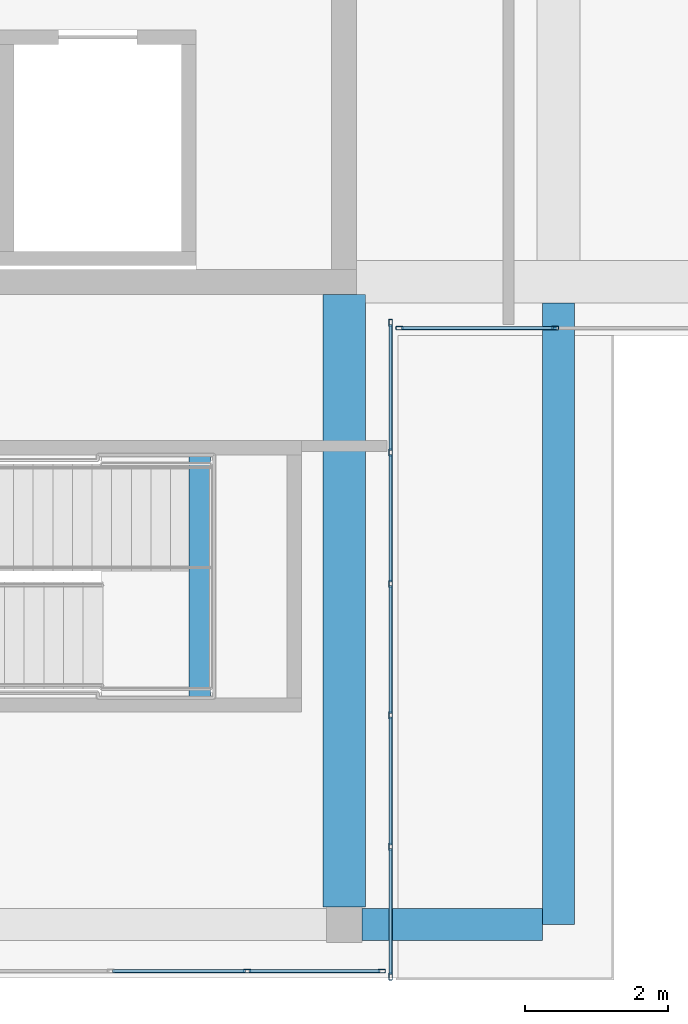
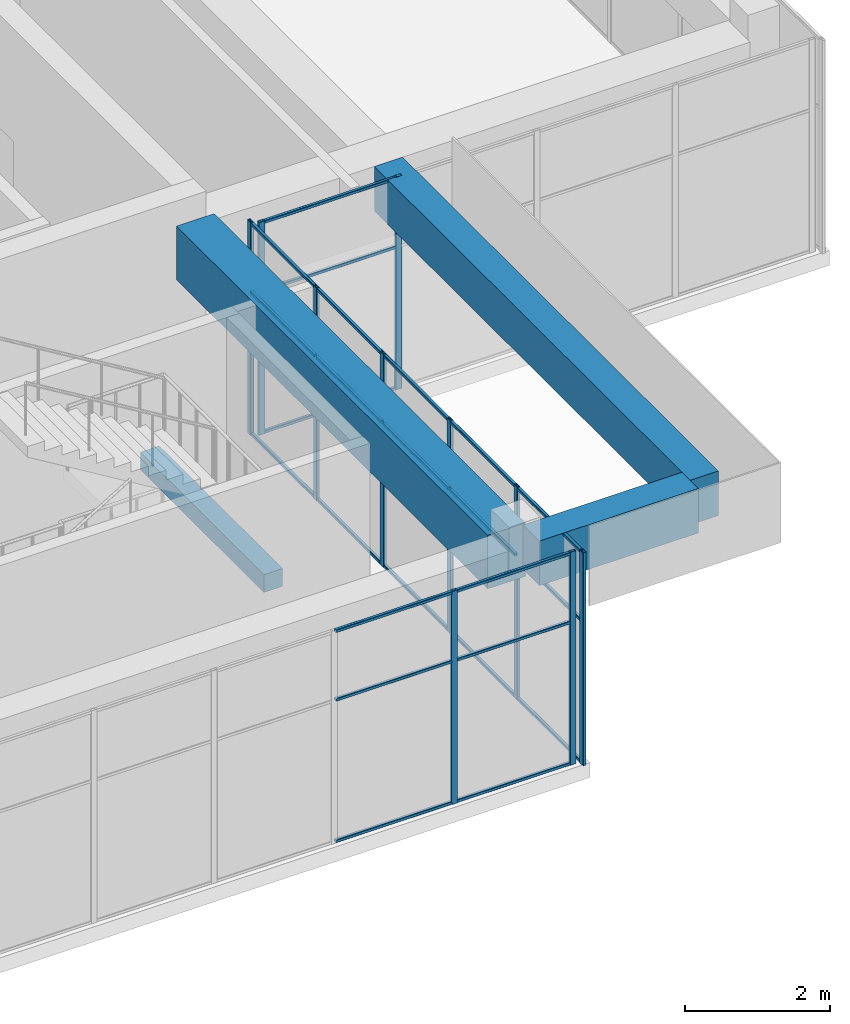
# One storey, part 9 of 36: 34 members, 4 beams, 3 elements without a shape of their own.
"""IFC4 building model written with IfcOpenShell, lengths in metres."""

import ifcopenshell
import ifcopenshell.guid

model = None  # the IFC model being written
_history = None  # IfcOwnerHistory: only IFC2X3 demands one
_inside = {}  # id of a spatial element -> (the spatial element, [elements in it])
_under = {}  # id of a project, library or spatial element -> (it, [spatial elements below it])
_declared = {}  # id of a project -> (the project, [libraries it declares])
_typed = {}  # id of a type object -> (the type object, [elements of that type])
_made_of = {}  # id of a material, layer set ... -> (it, [elements and type objects made of it])


def new_model(schema):
    """Start an empty IFC model of exactly this schema.

    Asked for "IFC4X3", IfcOpenShell would pick the latest addendum, in which some entities
    have other attributes; the version numbers below select the first issue.
    IFC2X3 requires an IfcOwnerHistory on every rooted entity: one is made here for all.
    """
    global model, _history
    if schema == "IFC4X3":
        model = ifcopenshell.file(schema_version=(4, 3, 0, 0))
    else:
        model = ifcopenshell.file(schema=schema)
    _inside.clear()
    _under.clear()
    _declared.clear()
    _typed.clear()
    _made_of.clear()
    _history = None
    if model.schema == "IFC2X3":
        org = make("IfcOrganization", Name="unknown")
        user = make(
            "IfcPersonAndOrganization",
            ThePerson=make("IfcPerson", FamilyName="unknown"),
            TheOrganization=org,
        )
        app = make(
            "IfcApplication",
            ApplicationDeveloper=org,
            Version="unknown",
            ApplicationFullName="unknown",
            ApplicationIdentifier="unknown",
        )
        _history = make(
            "IfcOwnerHistory",
            OwningUser=user,
            OwningApplication=app,
            ChangeAction="ADDED",
            CreationDate=0,
        )
    return model


def make(cls, **values):
    """One entity of the class cls with the attributes given. An attribute that is None is left unset."""
    return model.create_entity(
        cls, **{name: value for name, value in values.items() if value is not None}
    )


def rooted(cls, **values):
    """An entity with a GlobalId (a new one), such as an element, a storey or a relation."""
    return make(cls, GlobalId=ifcopenshell.guid.new(), OwnerHistory=_history, **values)


def si_unit(unit_type, name, prefix=None):
    """IfcSIUnit, for example si_unit("LENGTHUNIT", "METRE", prefix="MILLI")."""
    return make("IfcSIUnit", UnitType=unit_type, Prefix=prefix, Name=name)


def assignment(units):
    """IfcUnitAssignment: the units of a project."""
    return None if units is None else make("IfcUnitAssignment", Units=units)


def point(xyz):
    """IfcCartesianPoint."""
    return None if xyz is None else make("IfcCartesianPoint", Coordinates=xyz)


def direction(xyz):
    """IfcDirection."""
    return None if xyz is None else make("IfcDirection", DirectionRatios=xyz)


def frame(location, z_axis=None, x_axis=None):
    """IfcAxis2Placement3D, a coordinate frame: its origin and axes. An axis left out is left unset."""
    return make(
        "IfcAxis2Placement3D",
        Location=point(location),
        Axis=direction(z_axis),
        RefDirection=direction(x_axis),
    )


def frame_2d(location, x_axis=None):
    """IfcAxis2Placement2D, a coordinate frame in the plane: its origin and x axis."""
    return make(
        "IfcAxis2Placement2D", Location=point(location), RefDirection=direction(x_axis)
    )


def origin():
    """The frame at (0, 0, 0) with its axes left unset."""
    return frame((0.0, 0.0, 0.0))


def origin_2d():
    """The frame at (0, 0) in the plane with its x axis left unset."""
    return frame_2d((0.0, 0.0))


def place(relative_to, where):
    """IfcLocalPlacement: puts the frame where relative to a parent placement (None: the world)."""
    return make(
        "IfcLocalPlacement", PlacementRelTo=relative_to, RelativePlacement=where
    )


def context(
    kind, dimensions, precision=None, world=None, true_north=None, identifier=None
):
    """IfcGeometricRepresentationContext, for example the 3D "Model" context."""
    return make(
        "IfcGeometricRepresentationContext",
        ContextIdentifier=identifier,
        ContextType=kind,
        CoordinateSpaceDimension=dimensions,
        Precision=precision,
        WorldCoordinateSystem=world,
        TrueNorth=true_north,
    )


def subcontext(parent, identifier, kind, view, scale=None):
    """IfcGeometricRepresentationSubContext, for example "Body" below "Model"."""
    return make(
        "IfcGeometricRepresentationSubContext",
        ContextIdentifier=identifier,
        ContextType=kind,
        ParentContext=parent,
        TargetScale=scale,
        TargetView=view,
    )


def project(units=None, contexts=None):
    """IfcProject with its units and contexts."""
    return rooted(
        "IfcProject",
        Name="project",
        RepresentationContexts=contexts,
        UnitsInContext=assignment(units),
    )


def spatial(cls, under=None, at=None, **own):
    """A site, building, storey or space (cls), placed at a placement, below another one or the project."""
    s = rooted(cls, ObjectPlacement=at, **own)
    if under is not None:
        _under.setdefault(under.id(), (under, []))[1].append(s)
    return s


def profile(cls, at=None, kind="AREA", **sizes):
    """A parametric profile (cls). Its sizes go by their IFC names, for example OverallWidth=200.0."""
    return make(cls, ProfileType=kind, Position=at, **sizes)


def rectangle(**sizes):
    """IfcRectangleProfileDef."""
    return profile("IfcRectangleProfileDef", **sizes)


def hollow_rectangle(**sizes):
    """IfcRectangleHollowProfileDef."""
    return profile("IfcRectangleHollowProfileDef", **sizes)


def extrude(swept, where, along, depth):
    """IfcExtrudedAreaSolid: the profile swept, set in the frame where, extruded along a direction by depth."""
    return make(
        "IfcExtrudedAreaSolid",
        SweptArea=swept,
        Position=where,
        ExtrudedDirection=direction(along),
        Depth=depth,
    )


def shape(context_of_items, identifier, shape_type, items):
    """IfcShapeRepresentation: the items that make up one representation, for example the "Body"."""
    return make(
        "IfcShapeRepresentation",
        ContextOfItems=context_of_items,
        RepresentationIdentifier=identifier,
        RepresentationType=shape_type,
        Items=items,
    )


def material(Name=None, Category=None):
    """IfcMaterial."""
    return make("IfcMaterial", Name=Name, Category=Category)


def layer(
    of_material, thickness, ventilated=None, Name=None, Category=None, Priority=None
):
    """IfcMaterialLayer: one layer of a wall or slab, of a material (None: an air gap)."""
    return make(
        "IfcMaterialLayer",
        Material=of_material,
        LayerThickness=thickness,
        IsVentilated=ventilated,
        Name=Name,
        Category=Category,
        Priority=Priority,
    )


def layer_set(layers, Name=None):
    """IfcMaterialLayerSet."""
    return make("IfcMaterialLayerSet", MaterialLayers=layers, LayerSetName=Name)


def material_profile(
    of_material, cross_section, Name=None, Category=None, Priority=None
):
    """IfcMaterialProfile: a cross section and its material."""
    return make(
        "IfcMaterialProfile",
        Name=Name,
        Material=of_material,
        Profile=cross_section,
        Priority=Priority,
        Category=Category,
    )


def profile_set(profiles, Name=None, composite=None):
    """IfcMaterialProfileSet."""
    return make(
        "IfcMaterialProfileSet",
        Name=Name,
        MaterialProfiles=profiles,
        CompositeProfile=composite,
    )


def made_of(thing, what):
    """Note that an element or type object is made of a material, layer set ...; save() writes the relation."""
    if what is not None:
        _made_of.setdefault(what.id(), (what, []))[1].append(thing)
    return thing


def type_object(cls, material=None, **own):
    """A type object (cls), such as IfcWallType, which elements share."""
    return made_of(rooted(cls, **own), material)


def element(
    cls,
    number,
    at=None,
    inside=None,
    cuts=None,
    type_object=None,
    material=None,
    context=None,
    identifier="Body",
    shape_type=None,
    held_by="IfcProductDefinitionShape",
    body=None,
    shapes=None,
    **own,
):
    """One element of the class cls, such as IfcWall. Its Tag is "e" and its number.

    at: its placement. inside: the storey or other place that contains it. cuts: it is an
    opening in that element (IfcRelVoidsElement). A single representation is given by context,
    identifier, shape_type and body (its items); several are given by shapes. held_by: the class
    of the entity that holds the representations. save() writes the other relations.
    """
    e = rooted(cls, Tag="e%d" % number, ObjectPlacement=at, **own)
    if body is not None:
        shapes = [shape(context, identifier, shape_type, body)]
    if shapes is not None:
        e.Representation = make(held_by, Representations=shapes)
    if inside is not None:
        _inside.setdefault(inside.id(), (inside, []))[1].append(e)
    if cuts is not None:
        rooted(
            "IfcRelVoidsElement", RelatingBuildingElement=cuts, RelatedOpeningElement=e
        )
    if type_object is not None:
        _typed.setdefault(type_object.id(), (type_object, []))[1].append(e)
    return made_of(e, material)


def aggregate(whole, parts):
    """IfcRelAggregates: a whole, such as a stair, and the parts it consists of."""
    return rooted("IfcRelAggregates", RelatingObject=whole, RelatedObjects=parts)


def save(model, path):
    """Write the relations noted so far, then the file.

    IfcRelAggregates (storeys below a building ...), IfcRelContainedInSpatialStructure (elements
    in a storey), IfcRelDefinesByType, IfcRelAssociatesMaterial and IfcRelDeclares: one each for
    every whole, place, type object, material and project.
    """
    for whole, parts in _under.values():
        aggregate(whole, parts)
    for where, things in _inside.values():
        rooted(
            "IfcRelContainedInSpatialStructure",
            RelatedElements=things,
            RelatingStructure=where,
        )
    for kind, things in _typed.values():
        rooted("IfcRelDefinesByType", RelatedObjects=things, RelatingType=kind)
    for what, things in _made_of.values():
        rooted("IfcRelAssociatesMaterial", RelatedObjects=things, RelatingMaterial=what)
    for by, libraries in _declared.values():
        rooted("IfcRelDeclares", RelatingContext=by, RelatedDefinitions=libraries)
    model.write(path)


model = new_model("IFC4")

# Units and contexts
model_context = context("Model", 3, precision=1e-05, world=origin(), true_north=direction((0.0, 1.0)))
body_context = subcontext(model_context, "Body", "Model", "MODEL_VIEW")
ifc_project = project(units=[si_unit("LENGTHUNIT", "METRE"), si_unit("AREAUNIT", "SQUARE_METRE"), si_unit("VOLUMEUNIT", "CUBIC_METRE"), si_unit("PLANEANGLEUNIT", "RADIAN"), si_unit("MASSUNIT", "GRAM", prefix="KILO")], contexts=[model_context])

# Site, building, storey
site_placement = place(None, origin())
site = spatial("IfcSite", under=ifc_project, at=site_placement, CompositionType="ELEMENT")
building_placement = place(site_placement, origin())
building = spatial("IfcBuilding", under=site, at=building_placement, Name="Tuart Plaza Theatre", CompositionType="ELEMENT")
storey_placement = place(building_placement, frame((0.0, 0.0, 61.5)))
storey = spatial("IfcBuildingStorey", under=building, at=storey_placement, Name="L15", CompositionType="ELEMENT", Elevation=61.5)

# Beams
ifc_material_1 = material(Name="Concrete N40 (40 MPa)", Category="concrete")
ifc_material_profile_1 = material_profile(ifc_material_1, rectangle(XDim=0.300048828125, YDim=0.300048828125, at=origin_2d()), Name="BEAM 300x300 Concrete N40 (40 MPa)")
ifc_profile_set_1 = profile_set([ifc_material_profile_1], Name="Concrete N40 (40 MPa)")
beam_type_1 = type_object("IfcBeamType", Name="BEAM 300x300 Concrete N40 (40 MPa)", PredefinedType="BEAM", material=ifc_profile_set_1)
beam_1_placement = place(storey_placement, frame((138.97998046875, 59.175048828125, 1.64990234375), z_axis=(0.0, 1.0, 0.0), x_axis=(-1.0, 0.0, 0.0)))
element("IfcBeam", 1, at=beam_1_placement, inside=storey, type_object=beam_type_1, Name="RB511", PredefinedType="BEAM", context=body_context, shape_type="SweptSolid", body=[
    extrude(rectangle(XDim=0.300048828125, YDim=0.300048828125, at=origin_2d()), origin(), (0.0, 0.0, 1.0), 3.39990234375),
])
ifc_material_2 = material(Name="Concrete N40 (40 MPa)", Category="concrete")
ifc_material_profile_2 = material_profile(ifc_material_2, rectangle(XDim=0.449951171875, YDim=0.75, at=origin_2d()), Name="BEAM 450x750 Concrete N40 (40 MPa)")
ifc_profile_set_2 = profile_set([ifc_material_profile_2], Name="Concrete N40 (40 MPa)")
beam_type_2 = type_object("IfcBeamType", Name="BEAM 450x750 Concrete N40 (40 MPa)", PredefinedType="BEAM", material=ifc_profile_set_2)
beam_2_placement = place(storey_placement, frame((141.25, 56.0, 3.205078125), z_axis=(1.0, 0.0, 0.0), x_axis=(0.0, 1.0, 0.0)))
element("IfcBeam", 2, at=beam_2_placement, inside=storey, type_object=beam_type_2, Name="RB347", PredefinedType="BEAM", context=body_context, shape_type="SweptSolid", body=[
    extrude(rectangle(XDim=0.449951171875, YDim=0.75, at=origin_2d()), origin(), (0.0, 0.0, 1.0), 2.52490234375),
])
beam_3_placement = place(storey_placement, frame((144.0, 56.0, 3.205078125), z_axis=(0.0, 1.0, 0.0), x_axis=(-1.0, 0.0, 0.0)))
element("IfcBeam", 3, at=beam_3_placement, inside=storey, type_object=beam_type_2, Name="RB349", PredefinedType="BEAM", context=body_context, shape_type="SweptSolid", body=[
    extrude(rectangle(XDim=0.449951171875, YDim=0.75, at=origin_2d()), origin(), (0.0, 0.0, 1.0), 8.699951171875),
])
ifc_material_3 = material(Name="Concrete N40 (40 MPa)", Category="concrete")
ifc_material_profile_3 = material_profile(ifc_material_3, rectangle(XDim=0.60009765625, YDim=0.89990234375, at=origin_2d()), Name="BEAM 600x900 Concrete N40 (40 MPa)")
ifc_profile_set_3 = profile_set([ifc_material_profile_3], Name="Concrete N40 (40 MPa)")
beam_type_3 = type_object("IfcBeamType", Name="BEAM 600x900 Concrete N40 (40 MPa)", PredefinedType="BEAM", material=ifc_profile_set_3)
beam_4_placement = place(storey_placement, frame((141.0, 56.25, 3.1298828125), z_axis=(0.0, 1.0, 0.0), x_axis=(-1.0, 0.0, 0.0)))
element("IfcBeam", 4, at=beam_4_placement, inside=storey, type_object=beam_type_3, Name="RB339", PredefinedType="BEAM", context=body_context, shape_type="SweptSolid", body=[
    extrude(rectangle(XDim=0.60009765625, YDim=0.89990234375, at=origin_2d()), origin(), (0.0, 0.0, 1.0), 8.574951171875),
])

# Curtain wall, members
ifc_material_4 = material(Name="Aluminium and glass", Category="aluminium")
ifc_layer = layer(ifc_material_4, 0.10009765625)
ifc_layer_set = layer_set([ifc_layer], Name="CURTAIN WALL 2000 module")
curtain_wall_type = type_object("IfcCurtainWallType", Name="CURTAIN WALL 2000 module", PredefinedType="NOTDEFINED", material=ifc_layer_set)
curtain_wall_1_placement = place(storey_placement, origin())
curtain_wall_1 = element("IfcCurtainWall", 5, at=curtain_wall_1_placement, inside=storey, type_object=curtain_wall_type, Name="CW112", PredefinedType="NOTDEFINED")
ifc_material_5 = material(Name="Aluminium 6063-T5", Category="aluminium")
ifc_material_profile_4 = material_profile(ifc_material_5, hollow_rectangle(XDim=0.050048828125, YDim=0.10009765625, WallThickness=0.00390625, InnerFilletRadius=0.00390625, OuterFilletRadius=0.008056640625, at=origin_2d()), Name="RHS 100x50x4")
ifc_profile_set_4 = profile_set([ifc_material_profile_4], Name="Aluminium 6063-T5")
member_type_1 = type_object("IfcMemberType", Name="MULLION RHS 100x50x4", PredefinedType="MULLION", material=ifc_profile_set_4)
member_1_placement = place(storey_placement, frame((141.64990234375, 55.27490234375, 0.0), z_axis=(0.0, 0.0, 1.0), x_axis=(-1.0, 0.0, 0.0)))
member_1 = element("IfcMember", 6, at=member_1_placement, type_object=member_type_1, Name="CW112 mullion 1", PredefinedType="MULLION", context=body_context, shape_type="SweptSolid", body=[
    extrude(hollow_rectangle(XDim=0.050048828125, YDim=0.10009765625, WallThickness=0.00390625, InnerFilletRadius=0.00390625, OuterFilletRadius=0.008056640625, at=origin_2d()), origin(), (0.0, 0.0, 1.0), 3.580078125),
])
member_2_placement = place(storey_placement, frame((141.64990234375, 57.090087890625, 0.0), z_axis=(0.0, 0.0, 1.0), x_axis=(-1.0, 0.0, 0.0)))
member_2 = element("IfcMember", 7, at=member_2_placement, type_object=member_type_1, Name="CW112 mullion 2", PredefinedType="MULLION", context=body_context, shape_type="SweptSolid", body=[
    extrude(hollow_rectangle(XDim=0.050048828125, YDim=0.10009765625, WallThickness=0.00390625, InnerFilletRadius=0.00390625, OuterFilletRadius=0.008056640625, at=origin_2d()), origin(), (0.0, 0.0, 1.0), 3.580078125),
])
member_3_placement = place(storey_placement, frame((141.64990234375, 58.929931640625, 0.0), z_axis=(0.0, 0.0, 1.0), x_axis=(-1.0, 0.0, 0.0)))
member_3 = element("IfcMember", 8, at=member_3_placement, type_object=member_type_1, Name="CW112 mullion 3", PredefinedType="MULLION", context=body_context, shape_type="SweptSolid", body=[
    extrude(hollow_rectangle(XDim=0.050048828125, YDim=0.10009765625, WallThickness=0.00390625, InnerFilletRadius=0.00390625, OuterFilletRadius=0.008056640625, at=origin_2d()), origin(), (0.0, 0.0, 1.0), 3.580078125),
])
member_4_placement = place(storey_placement, frame((141.64990234375, 60.77001953125, 0.0), z_axis=(0.0, 0.0, 1.0), x_axis=(-1.0, 0.0, 0.0)))
member_4 = element("IfcMember", 9, at=member_4_placement, type_object=member_type_1, Name="CW112 mullion 4", PredefinedType="MULLION", context=body_context, shape_type="SweptSolid", body=[
    extrude(hollow_rectangle(XDim=0.050048828125, YDim=0.10009765625, WallThickness=0.00390625, InnerFilletRadius=0.00390625, OuterFilletRadius=0.008056640625, at=origin_2d()), origin(), (0.0, 0.0, 1.0), 3.580078125),
])
member_5_placement = place(storey_placement, frame((141.64990234375, 62.610107421875, 0.0), z_axis=(0.0, 0.0, 1.0), x_axis=(-1.0, 0.0, 0.0)))
member_5 = element("IfcMember", 10, at=member_5_placement, type_object=member_type_1, Name="CW112 mullion 5", PredefinedType="MULLION", context=body_context, shape_type="SweptSolid", body=[
    extrude(hollow_rectangle(XDim=0.050048828125, YDim=0.10009765625, WallThickness=0.00390625, InnerFilletRadius=0.00390625, OuterFilletRadius=0.008056640625, at=origin_2d()), origin(), (0.0, 0.0, 1.0), 3.580078125),
])
member_6_placement = place(storey_placement, frame((141.64990234375, 64.425048828125, 0.0), z_axis=(0.0, 0.0, 1.0), x_axis=(-1.0, 0.0, 0.0)))
member_6 = element("IfcMember", 11, at=member_6_placement, type_object=member_type_1, Name="CW112 mullion 6", PredefinedType="MULLION", context=body_context, shape_type="SweptSolid", body=[
    extrude(hollow_rectangle(XDim=0.050048828125, YDim=0.10009765625, WallThickness=0.00390625, InnerFilletRadius=0.00390625, OuterFilletRadius=0.008056640625, at=origin_2d()), origin(), (0.0, 0.0, 1.0), 3.580078125),
])

curtain_wall_2_placement = place(storey_placement, origin())
curtain_wall_2 = element("IfcCurtainWall", 12, at=curtain_wall_2_placement, inside=storey, type_object=curtain_wall_type, Name="CW113", PredefinedType="NOTDEFINED")
member_7_placement = place(storey_placement, frame((141.77490234375, 64.35009765625, 0.0), z_axis=(0.0, 0.0, 1.0), x_axis=(0.0, 1.0, 0.0)))
member_7 = element("IfcMember", 13, at=member_7_placement, type_object=member_type_1, Name="CW113 mullion 1", PredefinedType="MULLION", context=body_context, shape_type="SweptSolid", body=[
    extrude(hollow_rectangle(XDim=0.050048828125, YDim=0.10009765625, WallThickness=0.00390625, InnerFilletRadius=0.00390625, OuterFilletRadius=0.008056640625, at=origin_2d()), origin(), (0.0, 0.0, 1.0), 3.580078125),
])
member_8_placement = place(storey_placement, frame((143.949951171875, 64.35009765625, 0.0), z_axis=(0.0, 0.0, 1.0), x_axis=(0.0, 1.0, 0.0)))
member_8 = element("IfcMember", 14, at=member_8_placement, type_object=member_type_1, Name="CW113 mullion 2", PredefinedType="MULLION", context=body_context, shape_type="SweptSolid", body=[
    extrude(hollow_rectangle(XDim=0.050048828125, YDim=0.10009765625, WallThickness=0.00390625, InnerFilletRadius=0.00390625, OuterFilletRadius=0.008056640625, at=origin_2d()), origin(), (0.0, 0.0, 1.0), 3.580078125),
])

curtain_wall_3_placement = place(storey_placement, origin())
curtain_wall_3 = element("IfcCurtainWall", 15, at=curtain_wall_3_placement, inside=storey, type_object=curtain_wall_type, Name="CW122", PredefinedType="NOTDEFINED")
member_9_placement = place(storey_placement, frame((139.639892578125, 55.35009765625, 0.0), z_axis=(0.0, 0.0, 1.0), x_axis=(0.0, 1.0, 0.0)))
member_9 = element("IfcMember", 16, at=member_9_placement, type_object=member_type_1, Name="CW122 mullion 10", PredefinedType="MULLION", context=body_context, shape_type="SweptSolid", body=[
    extrude(hollow_rectangle(XDim=0.050048828125, YDim=0.10009765625, WallThickness=0.00390625, InnerFilletRadius=0.00390625, OuterFilletRadius=0.008056640625, at=origin_2d()), origin(), (0.0, 0.0, 1.0), 3.580078125),
])
member_10_placement = place(storey_placement, frame((141.52490234375, 55.35009765625, 0.0), z_axis=(0.0, 0.0, 1.0), x_axis=(0.0, 1.0, 0.0)))
member_10 = element("IfcMember", 17, at=member_10_placement, type_object=member_type_1, Name="CW122 mullion 11", PredefinedType="MULLION", context=body_context, shape_type="SweptSolid", body=[
    extrude(hollow_rectangle(XDim=0.050048828125, YDim=0.10009765625, WallThickness=0.00390625, InnerFilletRadius=0.00390625, OuterFilletRadius=0.008056640625, at=origin_2d()), origin(), (0.0, 0.0, 1.0), 3.580078125),
])

# Member
ifc_material_6 = material(Name="Aluminium 6063-T5", Category="aluminium")
ifc_material_profile_5 = material_profile(ifc_material_6, hollow_rectangle(XDim=0.050048828125, YDim=0.050048828125, WallThickness=0.00390625, InnerFilletRadius=0.00390625, OuterFilletRadius=0.008056640625, at=origin_2d()), Name="RHS 50x50x4")
ifc_profile_set_5 = profile_set([ifc_material_profile_5], Name="Aluminium 6063-T5")
member_type_2 = type_object("IfcMemberType", Name="TRANSOM RHS 50x50x4", PredefinedType="USERDEFINED", material=ifc_profile_set_5)
member_11_placement = place(storey_placement, frame((141.64990234375, 55.300048828125, 0.02490234375), z_axis=(0.0, 1.0, 0.0), x_axis=(-1.0, 0.0, 0.0)))
member_11 = element("IfcMember", 18, at=member_11_placement, type_object=member_type_2, Name="CW112 transom 1.1", ObjectType="TRANSOM", PredefinedType="USERDEFINED", context=body_context, shape_type="SweptSolid", body=[
    extrude(hollow_rectangle(XDim=0.050048828125, YDim=0.050048828125, WallThickness=0.00390625, InnerFilletRadius=0.00390625, OuterFilletRadius=0.008056640625, at=origin_2d()), origin(), (0.0, 0.0, 1.0), 1.764892578125),
])

member_12_placement = place(storey_placement, frame((141.64990234375, 55.300048828125, 2.39990234375), z_axis=(0.0, 1.0, 0.0), x_axis=(-1.0, 0.0, 0.0)))
member_12 = element("IfcMember", 19, at=member_12_placement, type_object=member_type_2, Name="CW112 transom 1.2", ObjectType="TRANSOM", PredefinedType="USERDEFINED", context=body_context, shape_type="SweptSolid", body=[
    extrude(hollow_rectangle(XDim=0.050048828125, YDim=0.050048828125, WallThickness=0.00390625, InnerFilletRadius=0.00390625, OuterFilletRadius=0.008056640625, at=origin_2d()), origin(), (0.0, 0.0, 1.0), 1.764892578125),
])

member_13_placement = place(storey_placement, frame((141.64990234375, 55.300048828125, 3.554931640625), z_axis=(0.0, 1.0, 0.0), x_axis=(-1.0, 0.0, 0.0)))
member_13 = element("IfcMember", 20, at=member_13_placement, type_object=member_type_2, Name="CW112 transom 1.3", ObjectType="TRANSOM", PredefinedType="USERDEFINED", context=body_context, shape_type="SweptSolid", body=[
    extrude(hollow_rectangle(XDim=0.050048828125, YDim=0.050048828125, WallThickness=0.00390625, InnerFilletRadius=0.00390625, OuterFilletRadius=0.008056640625, at=origin_2d()), origin(), (0.0, 0.0, 1.0), 1.764892578125),
])

member_14_placement = place(storey_placement, frame((141.64990234375, 57.114990234375, 0.02490234375), z_axis=(0.0, 1.0, 0.0), x_axis=(-1.0, 0.0, 0.0)))
member_14 = element("IfcMember", 21, at=member_14_placement, type_object=member_type_2, Name="CW112 transom 2.1", ObjectType="TRANSOM", PredefinedType="USERDEFINED", context=body_context, shape_type="SweptSolid", body=[
    extrude(hollow_rectangle(XDim=0.050048828125, YDim=0.050048828125, WallThickness=0.00390625, InnerFilletRadius=0.00390625, OuterFilletRadius=0.008056640625, at=origin_2d()), origin(), (0.0, 0.0, 1.0), 1.7900390625),
])

member_15_placement = place(storey_placement, frame((141.64990234375, 57.114990234375, 2.39990234375), z_axis=(0.0, 1.0, 0.0), x_axis=(-1.0, 0.0, 0.0)))
member_15 = element("IfcMember", 22, at=member_15_placement, type_object=member_type_2, Name="CW112 transom 2.2", ObjectType="TRANSOM", PredefinedType="USERDEFINED", context=body_context, shape_type="SweptSolid", body=[
    extrude(hollow_rectangle(XDim=0.050048828125, YDim=0.050048828125, WallThickness=0.00390625, InnerFilletRadius=0.00390625, OuterFilletRadius=0.008056640625, at=origin_2d()), origin(), (0.0, 0.0, 1.0), 1.7900390625),
])

member_16_placement = place(storey_placement, frame((141.64990234375, 57.114990234375, 3.554931640625), z_axis=(0.0, 1.0, 0.0), x_axis=(-1.0, 0.0, 0.0)))
member_16 = element("IfcMember", 23, at=member_16_placement, type_object=member_type_2, Name="CW112 transom 2.3", ObjectType="TRANSOM", PredefinedType="USERDEFINED", context=body_context, shape_type="SweptSolid", body=[
    extrude(hollow_rectangle(XDim=0.050048828125, YDim=0.050048828125, WallThickness=0.00390625, InnerFilletRadius=0.00390625, OuterFilletRadius=0.008056640625, at=origin_2d()), origin(), (0.0, 0.0, 1.0), 1.7900390625),
])

member_17_placement = place(storey_placement, frame((141.64990234375, 58.955078125, 0.02490234375), z_axis=(0.0, 1.0, 0.0), x_axis=(-1.0, 0.0, 0.0)))
member_17 = element("IfcMember", 24, at=member_17_placement, type_object=member_type_2, Name="CW112 transom 3.1", ObjectType="TRANSOM", PredefinedType="USERDEFINED", context=body_context, shape_type="SweptSolid", body=[
    extrude(hollow_rectangle(XDim=0.050048828125, YDim=0.050048828125, WallThickness=0.00390625, InnerFilletRadius=0.00390625, OuterFilletRadius=0.008056640625, at=origin_2d()), origin(), (0.0, 0.0, 1.0), 1.7900390625),
])

member_18_placement = place(storey_placement, frame((141.64990234375, 58.955078125, 2.39990234375), z_axis=(0.0, 1.0, 0.0), x_axis=(-1.0, 0.0, 0.0)))
member_18 = element("IfcMember", 25, at=member_18_placement, type_object=member_type_2, Name="CW112 transom 3.2", ObjectType="TRANSOM", PredefinedType="USERDEFINED", context=body_context, shape_type="SweptSolid", body=[
    extrude(hollow_rectangle(XDim=0.050048828125, YDim=0.050048828125, WallThickness=0.00390625, InnerFilletRadius=0.00390625, OuterFilletRadius=0.008056640625, at=origin_2d()), origin(), (0.0, 0.0, 1.0), 1.7900390625),
])

member_19_placement = place(storey_placement, frame((141.64990234375, 58.955078125, 3.554931640625), z_axis=(0.0, 1.0, 0.0), x_axis=(-1.0, 0.0, 0.0)))
member_19 = element("IfcMember", 26, at=member_19_placement, type_object=member_type_2, Name="CW112 transom 3.3", ObjectType="TRANSOM", PredefinedType="USERDEFINED", context=body_context, shape_type="SweptSolid", body=[
    extrude(hollow_rectangle(XDim=0.050048828125, YDim=0.050048828125, WallThickness=0.00390625, InnerFilletRadius=0.00390625, OuterFilletRadius=0.008056640625, at=origin_2d()), origin(), (0.0, 0.0, 1.0), 1.7900390625),
])

member_20_placement = place(storey_placement, frame((141.64990234375, 60.794921875, 0.02490234375), z_axis=(0.0, 1.0, 0.0), x_axis=(-1.0, 0.0, 0.0)))
member_20 = element("IfcMember", 27, at=member_20_placement, type_object=member_type_2, Name="CW112 transom 4.1", ObjectType="TRANSOM", PredefinedType="USERDEFINED", context=body_context, shape_type="SweptSolid", body=[
    extrude(hollow_rectangle(XDim=0.050048828125, YDim=0.050048828125, WallThickness=0.00390625, InnerFilletRadius=0.00390625, OuterFilletRadius=0.008056640625, at=origin_2d()), origin(), (0.0, 0.0, 1.0), 1.7900390625),
])

member_21_placement = place(storey_placement, frame((141.64990234375, 60.794921875, 2.39990234375), z_axis=(0.0, 1.0, 0.0), x_axis=(-1.0, 0.0, 0.0)))
member_21 = element("IfcMember", 28, at=member_21_placement, type_object=member_type_2, Name="CW112 transom 4.2", ObjectType="TRANSOM", PredefinedType="USERDEFINED", context=body_context, shape_type="SweptSolid", body=[
    extrude(hollow_rectangle(XDim=0.050048828125, YDim=0.050048828125, WallThickness=0.00390625, InnerFilletRadius=0.00390625, OuterFilletRadius=0.008056640625, at=origin_2d()), origin(), (0.0, 0.0, 1.0), 1.7900390625),
])

member_22_placement = place(storey_placement, frame((141.64990234375, 60.794921875, 3.554931640625), z_axis=(0.0, 1.0, 0.0), x_axis=(-1.0, 0.0, 0.0)))
member_22 = element("IfcMember", 29, at=member_22_placement, type_object=member_type_2, Name="CW112 transom 4.3", ObjectType="TRANSOM", PredefinedType="USERDEFINED", context=body_context, shape_type="SweptSolid", body=[
    extrude(hollow_rectangle(XDim=0.050048828125, YDim=0.050048828125, WallThickness=0.00390625, InnerFilletRadius=0.00390625, OuterFilletRadius=0.008056640625, at=origin_2d()), origin(), (0.0, 0.0, 1.0), 1.7900390625),
])

member_23_placement = place(storey_placement, frame((141.64990234375, 62.635009765625, 0.02490234375), z_axis=(0.0, 1.0, 0.0), x_axis=(-1.0, 0.0, 0.0)))
member_23 = element("IfcMember", 30, at=member_23_placement, type_object=member_type_2, Name="CW112 transom 5.1", ObjectType="TRANSOM", PredefinedType="USERDEFINED", context=body_context, shape_type="SweptSolid", body=[
    extrude(hollow_rectangle(XDim=0.050048828125, YDim=0.050048828125, WallThickness=0.00390625, InnerFilletRadius=0.00390625, OuterFilletRadius=0.008056640625, at=origin_2d()), origin(), (0.0, 0.0, 1.0), 1.764892578125),
])

member_24_placement = place(storey_placement, frame((141.64990234375, 62.635009765625, 2.39990234375), z_axis=(0.0, 1.0, 0.0), x_axis=(-1.0, 0.0, 0.0)))
member_24 = element("IfcMember", 31, at=member_24_placement, type_object=member_type_2, Name="CW112 transom 5.2", ObjectType="TRANSOM", PredefinedType="USERDEFINED", context=body_context, shape_type="SweptSolid", body=[
    extrude(hollow_rectangle(XDim=0.050048828125, YDim=0.050048828125, WallThickness=0.00390625, InnerFilletRadius=0.00390625, OuterFilletRadius=0.008056640625, at=origin_2d()), origin(), (0.0, 0.0, 1.0), 1.764892578125),
])

member_25_placement = place(storey_placement, frame((141.64990234375, 62.635009765625, 3.554931640625), z_axis=(0.0, 1.0, 0.0), x_axis=(-1.0, 0.0, 0.0)))
member_25 = element("IfcMember", 32, at=member_25_placement, type_object=member_type_2, Name="CW112 transom 5.3", ObjectType="TRANSOM", PredefinedType="USERDEFINED", context=body_context, shape_type="SweptSolid", body=[
    extrude(hollow_rectangle(XDim=0.050048828125, YDim=0.050048828125, WallThickness=0.00390625, InnerFilletRadius=0.00390625, OuterFilletRadius=0.008056640625, at=origin_2d()), origin(), (0.0, 0.0, 1.0), 1.764892578125),
])

aggregate(curtain_wall_1, [member_1, member_2, member_3, member_4, member_5, member_6, member_11, member_12, member_13, member_14, member_15, member_16, member_17, member_18, member_19, member_20, member_21, member_22, member_23, member_24, member_25])

member_26_placement = place(storey_placement, frame((141.800048828125, 64.35009765625, 0.02490234375), z_axis=(1.0, 0.0, 0.0), x_axis=(0.0, 1.0, 0.0)))
member_26 = element("IfcMember", 33, at=member_26_placement, type_object=member_type_2, Name="CW113 transom 1.1", ObjectType="TRANSOM", PredefinedType="USERDEFINED", context=body_context, shape_type="SweptSolid", body=[
    extrude(hollow_rectangle(XDim=0.050048828125, YDim=0.050048828125, WallThickness=0.00390625, InnerFilletRadius=0.00390625, OuterFilletRadius=0.008056640625, at=origin_2d()), origin(), (0.0, 0.0, 1.0), 2.125),
])

member_27_placement = place(storey_placement, frame((141.800048828125, 64.35009765625, 2.39990234375), z_axis=(1.0, 0.0, 0.0), x_axis=(0.0, 1.0, 0.0)))
member_27 = element("IfcMember", 34, at=member_27_placement, type_object=member_type_2, Name="CW113 transom 1.2", ObjectType="TRANSOM", PredefinedType="USERDEFINED", context=body_context, shape_type="SweptSolid", body=[
    extrude(hollow_rectangle(XDim=0.050048828125, YDim=0.050048828125, WallThickness=0.00390625, InnerFilletRadius=0.00390625, OuterFilletRadius=0.008056640625, at=origin_2d()), origin(), (0.0, 0.0, 1.0), 2.125),
])

member_28_placement = place(storey_placement, frame((141.800048828125, 64.35009765625, 3.554931640625), z_axis=(1.0, 0.0, 0.0), x_axis=(0.0, 1.0, 0.0)))
member_28 = element("IfcMember", 35, at=member_28_placement, type_object=member_type_2, Name="CW113 transom 1.3", ObjectType="TRANSOM", PredefinedType="USERDEFINED", context=body_context, shape_type="SweptSolid", body=[
    extrude(hollow_rectangle(XDim=0.050048828125, YDim=0.050048828125, WallThickness=0.00390625, InnerFilletRadius=0.00390625, OuterFilletRadius=0.008056640625, at=origin_2d()), origin(), (0.0, 0.0, 1.0), 2.125),
])

aggregate(curtain_wall_2, [member_7, member_8, member_26, member_27, member_28])

member_29_placement = place(storey_placement, frame((137.7548828125, 55.35009765625, 0.02490234375), z_axis=(1.0, 0.0, 0.0), x_axis=(0.0, 1.0, 0.0)))
member_29 = element("IfcMember", 36, at=member_29_placement, type_object=member_type_2, Name="CW122 transom 9.1", ObjectType="TRANSOM", PredefinedType="USERDEFINED", context=body_context, shape_type="SweptSolid", body=[
    extrude(hollow_rectangle(XDim=0.050048828125, YDim=0.050048828125, WallThickness=0.00390625, InnerFilletRadius=0.00390625, OuterFilletRadius=0.008056640625, at=origin_2d()), origin(), (0.0, 0.0, 1.0), 1.860107421875),
])

member_30_placement = place(storey_placement, frame((137.7548828125, 55.35009765625, 2.39990234375), z_axis=(1.0, 0.0, 0.0), x_axis=(0.0, 1.0, 0.0)))
member_30 = element("IfcMember", 37, at=member_30_placement, type_object=member_type_2, Name="CW122 transom 9.2", ObjectType="TRANSOM", PredefinedType="USERDEFINED", context=body_context, shape_type="SweptSolid", body=[
    extrude(hollow_rectangle(XDim=0.050048828125, YDim=0.050048828125, WallThickness=0.00390625, InnerFilletRadius=0.00390625, OuterFilletRadius=0.008056640625, at=origin_2d()), origin(), (0.0, 0.0, 1.0), 1.860107421875),
])

member_31_placement = place(storey_placement, frame((137.7548828125, 55.35009765625, 3.554931640625), z_axis=(1.0, 0.0, 0.0), x_axis=(0.0, 1.0, 0.0)))
member_31 = element("IfcMember", 38, at=member_31_placement, type_object=member_type_2, Name="CW122 transom 9.3", ObjectType="TRANSOM", PredefinedType="USERDEFINED", context=body_context, shape_type="SweptSolid", body=[
    extrude(hollow_rectangle(XDim=0.050048828125, YDim=0.050048828125, WallThickness=0.00390625, InnerFilletRadius=0.00390625, OuterFilletRadius=0.008056640625, at=origin_2d()), origin(), (0.0, 0.0, 1.0), 1.860107421875),
])

member_32_placement = place(storey_placement, frame((139.6650390625, 55.35009765625, 0.02490234375), z_axis=(1.0, 0.0, 0.0), x_axis=(0.0, 1.0, 0.0)))
member_32 = element("IfcMember", 39, at=member_32_placement, type_object=member_type_2, Name="CW122 transom 10.1", ObjectType="TRANSOM", PredefinedType="USERDEFINED", context=body_context, shape_type="SweptSolid", body=[
    extrude(hollow_rectangle(XDim=0.050048828125, YDim=0.050048828125, WallThickness=0.00390625, InnerFilletRadius=0.00390625, OuterFilletRadius=0.008056640625, at=origin_2d()), origin(), (0.0, 0.0, 1.0), 1.8349609375),
])

member_33_placement = place(storey_placement, frame((139.6650390625, 55.35009765625, 2.39990234375), z_axis=(1.0, 0.0, 0.0), x_axis=(0.0, 1.0, 0.0)))
member_33 = element("IfcMember", 40, at=member_33_placement, type_object=member_type_2, Name="CW122 transom 10.2", ObjectType="TRANSOM", PredefinedType="USERDEFINED", context=body_context, shape_type="SweptSolid", body=[
    extrude(hollow_rectangle(XDim=0.050048828125, YDim=0.050048828125, WallThickness=0.00390625, InnerFilletRadius=0.00390625, OuterFilletRadius=0.008056640625, at=origin_2d()), origin(), (0.0, 0.0, 1.0), 1.8349609375),
])

member_34_placement = place(storey_placement, frame((139.6650390625, 55.35009765625, 3.554931640625), z_axis=(1.0, 0.0, 0.0), x_axis=(0.0, 1.0, 0.0)))
member_34 = element("IfcMember", 41, at=member_34_placement, type_object=member_type_2, Name="CW122 transom 10.3", ObjectType="TRANSOM", PredefinedType="USERDEFINED", context=body_context, shape_type="SweptSolid", body=[
    extrude(hollow_rectangle(XDim=0.050048828125, YDim=0.050048828125, WallThickness=0.00390625, InnerFilletRadius=0.00390625, OuterFilletRadius=0.008056640625, at=origin_2d()), origin(), (0.0, 0.0, 1.0), 1.8349609375),
])

aggregate(curtain_wall_3, [member_9, member_10, member_29, member_30, member_31, member_32, member_33, member_34])

save(model, "model.ifc")
